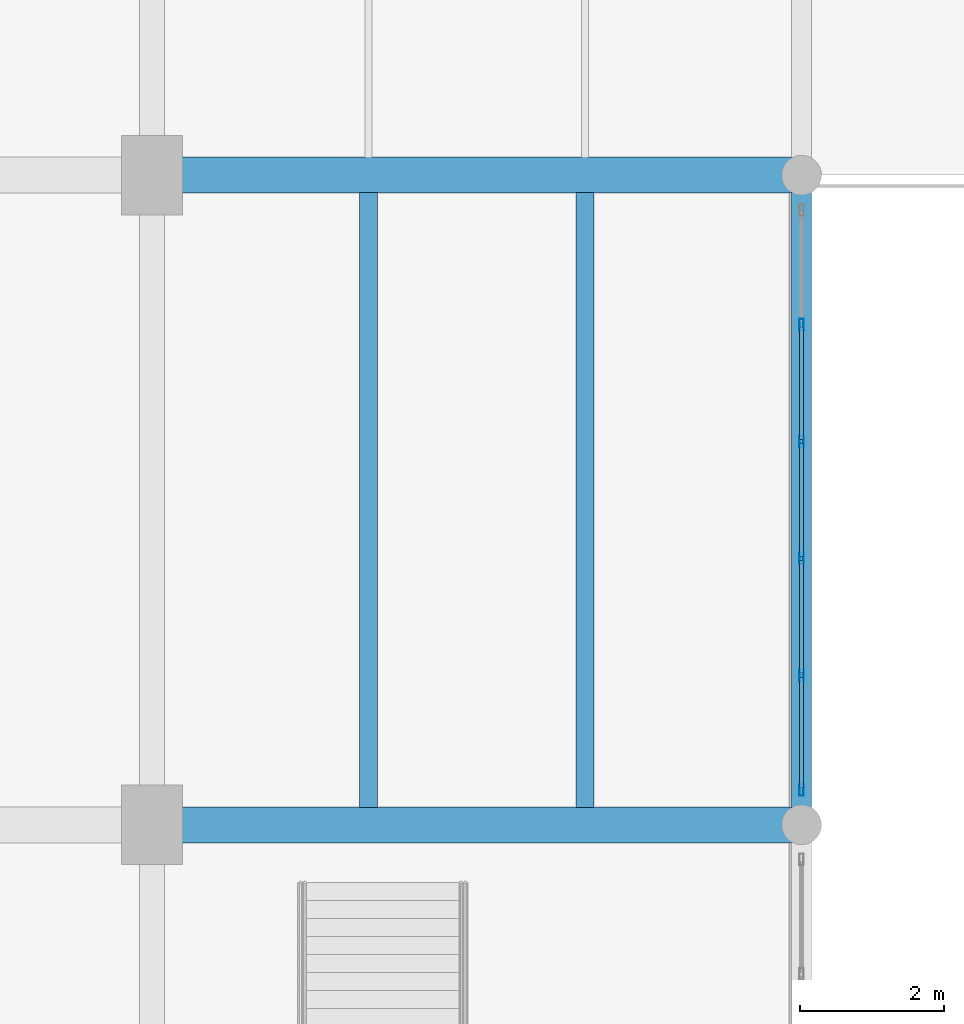
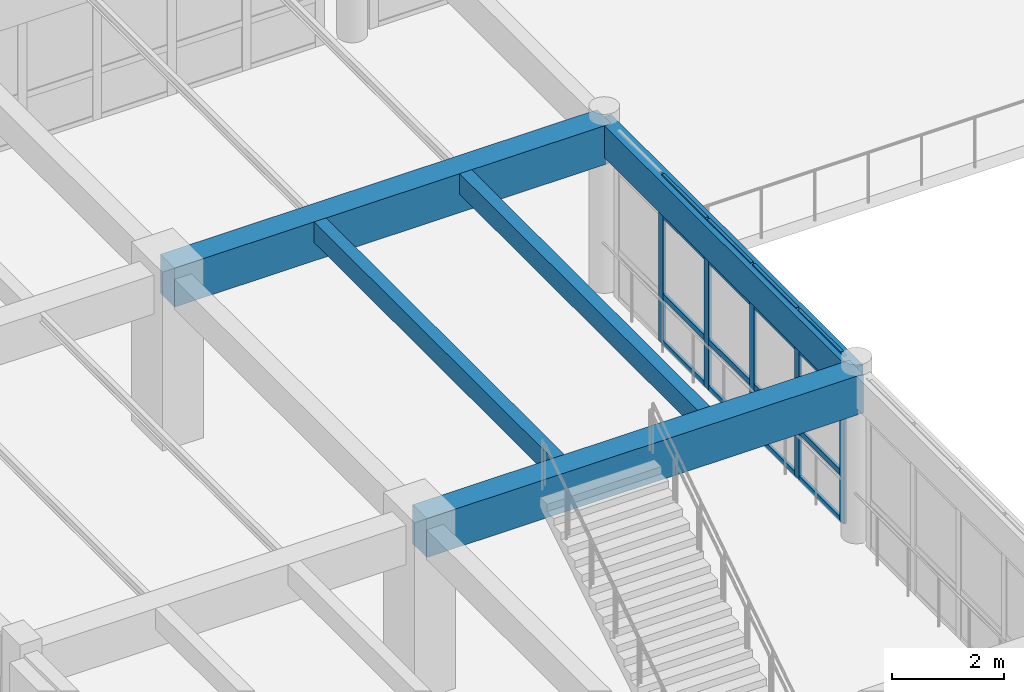
# One storey, part 55 of 156: 21 members, 5 beams, 1 element without a shape of its own.
"""IFC4 building model written with IfcOpenShell, lengths in metres."""

from ifc_helpers import new_model, si_unit, direction, frame, origin, origin_2d, place, context, subcontext, project, spatial, rectangle, hollow_rectangle, extrude, material, layer, layer_set, material_profile, profile_set, type_object, element, aggregate, save


model = new_model("IFC4")

# Units and contexts
model_context = context("Model", 3, precision=1e-05, world=origin(), true_north=direction((0.0, 1.0)))
body_context = subcontext(model_context, "Body", "Model", "MODEL_VIEW")
ifc_project = project(units=[si_unit("LENGTHUNIT", "METRE"), si_unit("AREAUNIT", "SQUARE_METRE"), si_unit("VOLUMEUNIT", "CUBIC_METRE"), si_unit("PLANEANGLEUNIT", "RADIAN"), si_unit("MASSUNIT", "GRAM", prefix="KILO")], contexts=[model_context])

# Site, building, storey
site_placement = place(None, origin())
site = spatial("IfcSite", under=ifc_project, at=site_placement, CompositionType="ELEMENT")
building_placement = place(site_placement, origin())
building = spatial("IfcBuilding", under=site, at=building_placement, Name="Ornek Quay Market", CompositionType="ELEMENT")
storey_placement = place(building_placement, frame((0.0, 0.0, 4.5)))
storey = spatial("IfcBuildingStorey", under=building, at=storey_placement, Name="L01", CompositionType="ELEMENT", Elevation=4.5)

# Beams
ifc_material_1 = material(Name="Concrete C40/50", Category="concrete")
ifc_material_profile_1 = material_profile(ifc_material_1, rectangle(XDim=0.5, YDim=0.85009765625, at=origin_2d()), Name="RC 500x850", Category="concrete")
ifc_profile_set_1 = profile_set([ifc_material_profile_1], Name="Concrete C40/50")
beam_type_1 = type_object("IfcBeamType", Name="BM-GAL-500x850", PredefinedType="BEAM", material=ifc_profile_set_1)
for number, where, z_axis, x_axis, name in (
    (1, (63.0, 74.0, 3.235107421875), (1.0, 0.0, 0.0), (0.0, 1.0, 0.0), "Primary beam B-GL1-074"),
    (2, (63.0, 83.0, 3.235107421875), (1.0, 0.0, 0.0), (0.0, 1.0, 0.0), "Primary beam B-GL1-076"),
):
    element("IfcBeam", number, at=place(storey_placement, frame(where, z_axis=z_axis, x_axis=x_axis)), inside=storey, type_object=beam_type_1, Name=name, PredefinedType="BEAM", context=body_context, shape_type="SweptSolid", body=[
        extrude(rectangle(XDim=0.5, YDim=0.85009765625, at=origin_2d()), origin(), (0.0, 0.0, 1.0), 9.0),
    ])
ifc_material_2 = material(Name="Concrete C35/45", Category="concrete")
ifc_material_profile_2 = material_profile(ifc_material_2, rectangle(XDim=0.25, YDim=0.449951171875, at=origin_2d()), Name="RC 250x450", Category="concrete")
ifc_profile_set_2 = profile_set([ifc_material_profile_2], Name="Concrete C35/45")
beam_type_2 = type_object("IfcBeamType", Name="BM-SEC-250x450", PredefinedType="JOIST", material=ifc_profile_set_2)
for number, where, z_axis, x_axis, name in (
    (3, (66.0, 74.241943359375, 3.43505859375), (0.0, 1.0, 0.0), (-1.0, 0.0, 0.0), "Secondary joist B-SC3-021"),
    (4, (69.0, 74.241943359375, 3.43505859375), (0.0, 1.0, 0.0), (-1.0, 0.0, 0.0), "Secondary joist B-SC3-022"),
):
    element("IfcBeam", number, at=place(storey_placement, frame(where, z_axis=z_axis, x_axis=x_axis)), inside=storey, type_object=beam_type_2, Name=name, PredefinedType="JOIST", context=body_context, shape_type="SweptSolid", body=[
        extrude(rectangle(XDim=0.25, YDim=0.449951171875, at=origin_2d()), origin(), (0.0, 0.0, 1.0), 8.51611328125),
    ])
ifc_material_profile_3 = material_profile(ifc_material_2, rectangle(XDim=0.280029296875, YDim=0.699951171875, at=origin_2d()), Name="RC 280x700", Category="concrete")
ifc_profile_set_3 = profile_set([ifc_material_profile_3], Name="Concrete C35/45")
beam_type_3 = type_object("IfcBeamType", Name="BM-SPN-280x700", PredefinedType="SPANDREL", material=ifc_profile_set_3)
beam_placement = place(storey_placement, frame((72.0, 74.0, 3.31005859375), z_axis=(0.0, 1.0, 0.0), x_axis=(-1.0, 0.0, 0.0)))
element("IfcBeam", 5, at=beam_placement, inside=storey, type_object=beam_type_3, Name="Primary beam B-SP2-066", PredefinedType="SPANDREL", context=body_context, shape_type="SweptSolid", body=[
    extrude(rectangle(XDim=0.280029296875, YDim=0.699951171875, at=origin_2d()), origin(), (0.0, 0.0, 1.0), 9.0),
])

# Curtain wall, members
ifc_material_3 = material(Name="Anodised bronze aluminium and triple low-e glass", Category="aluminium")
ifc_layer = layer(ifc_material_3, 0.139892578125, Name="Anodised bronze aluminium and triple low-e glass", Category="aluminium")
ifc_layer_set = layer_set([ifc_layer], Name="Anodised bronze aluminium and triple low-e glass")
curtain_wall_type = type_object("IfcCurtainWallType", Name="CW-GALLERY-INT", PredefinedType="USERDEFINED", material=ifc_layer_set)
curtain_wall_placement = place(storey_placement, origin())
curtain_wall = element("IfcCurtainWall", 6, at=curtain_wall_placement, inside=storey, type_object=curtain_wall_type, Name="Curtain wall CW-102", ObjectType="CURTAIN WALL", PredefinedType="USERDEFINED")
ifc_material_4 = material(Name="Anodised aluminium 6063-T6", Category="aluminium")
ifc_material_profile_4 = material_profile(ifc_material_4, hollow_rectangle(XDim=0.06005859375, YDim=0.159912109375, WallThickness=0.00390625, at=origin_2d()), Name="CW-MUL-60x160", Category="aluminium")
ifc_profile_set_4 = profile_set([ifc_material_profile_4], Name="Anodised aluminium 6063-T6")
member_type_1 = type_object("IfcMemberType", Name="CW-MUL-60x160", PredefinedType="MULLION", material=ifc_profile_set_4)
member_1_placement = place(storey_placement, frame((72.0, 74.47998046875, 0.0), z_axis=(0.0, 0.0, 1.0), x_axis=(-1.0, 0.0, 0.0)))
member_1 = element("IfcMember", 7, at=member_1_placement, type_object=member_type_1, Name="CW-102 mullion 1", PredefinedType="MULLION", context=body_context, shape_type="SweptSolid", body=[
    extrude(hollow_rectangle(XDim=0.06005859375, YDim=0.159912109375, WallThickness=0.00390625, at=origin_2d()), origin(), (0.0, 0.0, 1.0), 3.659912109375),
])
member_2_placement = place(storey_placement, frame((72.0, 76.070068359375, 0.0), z_axis=(0.0, 0.0, 1.0), x_axis=(-1.0, 0.0, 0.0)))
member_2 = element("IfcMember", 8, at=member_2_placement, type_object=member_type_1, Name="CW-102 mullion 2", PredefinedType="MULLION", context=body_context, shape_type="SweptSolid", body=[
    extrude(hollow_rectangle(XDim=0.06005859375, YDim=0.159912109375, WallThickness=0.00390625, at=origin_2d()), origin(), (0.0, 0.0, 1.0), 3.659912109375),
])
member_3_placement = place(storey_placement, frame((72.0, 77.68994140625, 0.0), z_axis=(0.0, 0.0, 1.0), x_axis=(-1.0, 0.0, 0.0)))
member_3 = element("IfcMember", 9, at=member_3_placement, type_object=member_type_1, Name="CW-102 mullion 3", PredefinedType="MULLION", context=body_context, shape_type="SweptSolid", body=[
    extrude(hollow_rectangle(XDim=0.06005859375, YDim=0.159912109375, WallThickness=0.00390625, at=origin_2d()), origin(), (0.0, 0.0, 1.0), 3.659912109375),
])
member_4_placement = place(storey_placement, frame((72.0, 79.31005859375, 0.0), z_axis=(0.0, 0.0, 1.0), x_axis=(-1.0, 0.0, 0.0)))
member_4 = element("IfcMember", 10, at=member_4_placement, type_object=member_type_1, Name="CW-102 mullion 4", PredefinedType="MULLION", context=body_context, shape_type="SweptSolid", body=[
    extrude(hollow_rectangle(XDim=0.06005859375, YDim=0.159912109375, WallThickness=0.00390625, at=origin_2d()), origin(), (0.0, 0.0, 1.0), 3.659912109375),
])
member_5_placement = place(storey_placement, frame((72.0, 80.929931640625, 0.0), z_axis=(0.0, 0.0, 1.0), x_axis=(-1.0, 0.0, 0.0)))
member_5 = element("IfcMember", 11, at=member_5_placement, type_object=member_type_1, Name="CW-102 mullion 5", PredefinedType="MULLION", context=body_context, shape_type="SweptSolid", body=[
    extrude(hollow_rectangle(XDim=0.06005859375, YDim=0.159912109375, WallThickness=0.00390625, at=origin_2d()), origin(), (0.0, 0.0, 1.0), 3.659912109375),
])
ifc_material_profile_5 = material_profile(ifc_material_4, hollow_rectangle(XDim=0.06005859375, YDim=0.1201171875, WallThickness=0.00390625, at=origin_2d()), Name="CW-TRN-60x120", Category="aluminium")
ifc_profile_set_5 = profile_set([ifc_material_profile_5], Name="Anodised aluminium 6063-T6")
member_type_2 = type_object("IfcMemberType", Name="CW-TRN-60x120", PredefinedType="USERDEFINED", material=ifc_profile_set_5)
member_6_placement = place(storey_placement, frame((72.0, 74.510009765625, 0.030029296875), z_axis=(0.0, 1.0, 0.0), x_axis=(-1.0, 0.0, 0.0)))
member_6 = element("IfcMember", 12, at=member_6_placement, type_object=member_type_2, Name="CW-102 transom 1.1", ObjectType="TRANSOM", PredefinedType="USERDEFINED", context=body_context, shape_type="SweptSolid", body=[
    extrude(hollow_rectangle(XDim=0.06005859375, YDim=0.1201171875, WallThickness=0.00390625, at=origin_2d()), origin(), (0.0, 0.0, 1.0), 1.530029296875),
])
member_7_placement = place(storey_placement, frame((72.0, 74.510009765625, 1.050048828125), z_axis=(0.0, 1.0, 0.0), x_axis=(-1.0, 0.0, 0.0)))
member_7 = element("IfcMember", 13, at=member_7_placement, type_object=member_type_2, Name="CW-102 transom 1.2", ObjectType="TRANSOM", PredefinedType="USERDEFINED", context=body_context, shape_type="SweptSolid", body=[
    extrude(hollow_rectangle(XDim=0.06005859375, YDim=0.1201171875, WallThickness=0.00390625, at=origin_2d()), origin(), (0.0, 0.0, 1.0), 1.530029296875),
])
member_8_placement = place(storey_placement, frame((72.0, 74.510009765625, 2.81005859375), z_axis=(0.0, 1.0, 0.0), x_axis=(-1.0, 0.0, 0.0)))
member_8 = element("IfcMember", 14, at=member_8_placement, type_object=member_type_2, Name="CW-102 transom 1.3", ObjectType="TRANSOM", PredefinedType="USERDEFINED", context=body_context, shape_type="SweptSolid", body=[
    extrude(hollow_rectangle(XDim=0.06005859375, YDim=0.1201171875, WallThickness=0.00390625, at=origin_2d()), origin(), (0.0, 0.0, 1.0), 1.530029296875),
])
member_9_placement = place(storey_placement, frame((72.0, 74.510009765625, 3.6298828125), z_axis=(0.0, 1.0, 0.0), x_axis=(-1.0, 0.0, 0.0)))
member_9 = element("IfcMember", 15, at=member_9_placement, type_object=member_type_2, Name="CW-102 transom 1.4", ObjectType="TRANSOM", PredefinedType="USERDEFINED", context=body_context, shape_type="SweptSolid", body=[
    extrude(hollow_rectangle(XDim=0.06005859375, YDim=0.1201171875, WallThickness=0.00390625, at=origin_2d()), origin(), (0.0, 0.0, 1.0), 1.530029296875),
])
member_10_placement = place(storey_placement, frame((72.0, 76.10009765625, 0.030029296875), z_axis=(0.0, 1.0, 0.0), x_axis=(-1.0, 0.0, 0.0)))
member_10 = element("IfcMember", 16, at=member_10_placement, type_object=member_type_2, Name="CW-102 transom 2.1", ObjectType="TRANSOM", PredefinedType="USERDEFINED", context=body_context, shape_type="SweptSolid", body=[
    extrude(hollow_rectangle(XDim=0.06005859375, YDim=0.1201171875, WallThickness=0.00390625, at=origin_2d()), origin(), (0.0, 0.0, 1.0), 1.559814453125),
])
member_11_placement = place(storey_placement, frame((72.0, 76.10009765625, 1.050048828125), z_axis=(0.0, 1.0, 0.0), x_axis=(-1.0, 0.0, 0.0)))
member_11 = element("IfcMember", 17, at=member_11_placement, type_object=member_type_2, Name="CW-102 transom 2.2", ObjectType="TRANSOM", PredefinedType="USERDEFINED", context=body_context, shape_type="SweptSolid", body=[
    extrude(hollow_rectangle(XDim=0.06005859375, YDim=0.1201171875, WallThickness=0.00390625, at=origin_2d()), origin(), (0.0, 0.0, 1.0), 1.559814453125),
])
member_12_placement = place(storey_placement, frame((72.0, 76.10009765625, 2.81005859375), z_axis=(0.0, 1.0, 0.0), x_axis=(-1.0, 0.0, 0.0)))
member_12 = element("IfcMember", 18, at=member_12_placement, type_object=member_type_2, Name="CW-102 transom 2.3", ObjectType="TRANSOM", PredefinedType="USERDEFINED", context=body_context, shape_type="SweptSolid", body=[
    extrude(hollow_rectangle(XDim=0.06005859375, YDim=0.1201171875, WallThickness=0.00390625, at=origin_2d()), origin(), (0.0, 0.0, 1.0), 1.559814453125),
])
member_13_placement = place(storey_placement, frame((72.0, 76.10009765625, 3.6298828125), z_axis=(0.0, 1.0, 0.0), x_axis=(-1.0, 0.0, 0.0)))
member_13 = element("IfcMember", 19, at=member_13_placement, type_object=member_type_2, Name="CW-102 transom 2.4", ObjectType="TRANSOM", PredefinedType="USERDEFINED", context=body_context, shape_type="SweptSolid", body=[
    extrude(hollow_rectangle(XDim=0.06005859375, YDim=0.1201171875, WallThickness=0.00390625, at=origin_2d()), origin(), (0.0, 0.0, 1.0), 1.559814453125),
])
member_14_placement = place(storey_placement, frame((72.0, 77.719970703125, 0.030029296875), z_axis=(0.0, 1.0, 0.0), x_axis=(-1.0, 0.0, 0.0)))
member_14 = element("IfcMember", 20, at=member_14_placement, type_object=member_type_2, Name="CW-102 transom 3.1", ObjectType="TRANSOM", PredefinedType="USERDEFINED", context=body_context, shape_type="SweptSolid", body=[
    extrude(hollow_rectangle(XDim=0.06005859375, YDim=0.1201171875, WallThickness=0.00390625, at=origin_2d()), origin(), (0.0, 0.0, 1.0), 1.56005859375),
])
member_15_placement = place(storey_placement, frame((72.0, 77.719970703125, 1.050048828125), z_axis=(0.0, 1.0, 0.0), x_axis=(-1.0, 0.0, 0.0)))
member_15 = element("IfcMember", 21, at=member_15_placement, type_object=member_type_2, Name="CW-102 transom 3.2", ObjectType="TRANSOM", PredefinedType="USERDEFINED", context=body_context, shape_type="SweptSolid", body=[
    extrude(hollow_rectangle(XDim=0.06005859375, YDim=0.1201171875, WallThickness=0.00390625, at=origin_2d()), origin(), (0.0, 0.0, 1.0), 1.56005859375),
])
member_16_placement = place(storey_placement, frame((72.0, 77.719970703125, 2.81005859375), z_axis=(0.0, 1.0, 0.0), x_axis=(-1.0, 0.0, 0.0)))
member_16 = element("IfcMember", 22, at=member_16_placement, type_object=member_type_2, Name="CW-102 transom 3.3", ObjectType="TRANSOM", PredefinedType="USERDEFINED", context=body_context, shape_type="SweptSolid", body=[
    extrude(hollow_rectangle(XDim=0.06005859375, YDim=0.1201171875, WallThickness=0.00390625, at=origin_2d()), origin(), (0.0, 0.0, 1.0), 1.56005859375),
])
member_17_placement = place(storey_placement, frame((72.0, 77.719970703125, 3.6298828125), z_axis=(0.0, 1.0, 0.0), x_axis=(-1.0, 0.0, 0.0)))
member_17 = element("IfcMember", 23, at=member_17_placement, type_object=member_type_2, Name="CW-102 transom 3.4", ObjectType="TRANSOM", PredefinedType="USERDEFINED", context=body_context, shape_type="SweptSolid", body=[
    extrude(hollow_rectangle(XDim=0.06005859375, YDim=0.1201171875, WallThickness=0.00390625, at=origin_2d()), origin(), (0.0, 0.0, 1.0), 1.56005859375),
])
member_18_placement = place(storey_placement, frame((72.0, 79.340087890625, 0.030029296875), z_axis=(0.0, 1.0, 0.0), x_axis=(-1.0, 0.0, 0.0)))
member_18 = element("IfcMember", 24, at=member_18_placement, type_object=member_type_2, Name="CW-102 transom 4.1", ObjectType="TRANSOM", PredefinedType="USERDEFINED", context=body_context, shape_type="SweptSolid", body=[
    extrude(hollow_rectangle(XDim=0.06005859375, YDim=0.1201171875, WallThickness=0.00390625, at=origin_2d()), origin(), (0.0, 0.0, 1.0), 1.559814453125),
])
member_19_placement = place(storey_placement, frame((72.0, 79.340087890625, 1.050048828125), z_axis=(0.0, 1.0, 0.0), x_axis=(-1.0, 0.0, 0.0)))
member_19 = element("IfcMember", 25, at=member_19_placement, type_object=member_type_2, Name="CW-102 transom 4.2", ObjectType="TRANSOM", PredefinedType="USERDEFINED", context=body_context, shape_type="SweptSolid", body=[
    extrude(hollow_rectangle(XDim=0.06005859375, YDim=0.1201171875, WallThickness=0.00390625, at=origin_2d()), origin(), (0.0, 0.0, 1.0), 1.559814453125),
])
member_20_placement = place(storey_placement, frame((72.0, 79.340087890625, 2.81005859375), z_axis=(0.0, 1.0, 0.0), x_axis=(-1.0, 0.0, 0.0)))
member_20 = element("IfcMember", 26, at=member_20_placement, type_object=member_type_2, Name="CW-102 transom 4.3", ObjectType="TRANSOM", PredefinedType="USERDEFINED", context=body_context, shape_type="SweptSolid", body=[
    extrude(hollow_rectangle(XDim=0.06005859375, YDim=0.1201171875, WallThickness=0.00390625, at=origin_2d()), origin(), (0.0, 0.0, 1.0), 1.559814453125),
])
member_21_placement = place(storey_placement, frame((72.0, 79.340087890625, 3.6298828125), z_axis=(0.0, 1.0, 0.0), x_axis=(-1.0, 0.0, 0.0)))
member_21 = element("IfcMember", 27, at=member_21_placement, type_object=member_type_2, Name="CW-102 transom 4.4", ObjectType="TRANSOM", PredefinedType="USERDEFINED", context=body_context, shape_type="SweptSolid", body=[
    extrude(hollow_rectangle(XDim=0.06005859375, YDim=0.1201171875, WallThickness=0.00390625, at=origin_2d()), origin(), (0.0, 0.0, 1.0), 1.559814453125),
])
aggregate(curtain_wall, [member_1, member_2, member_3, member_4, member_5, member_6, member_7, member_8, member_9, member_10, member_11, member_12, member_13, member_14, member_15, member_16, member_17, member_18, member_19, member_20, member_21])

save(model, "model.ifc")
